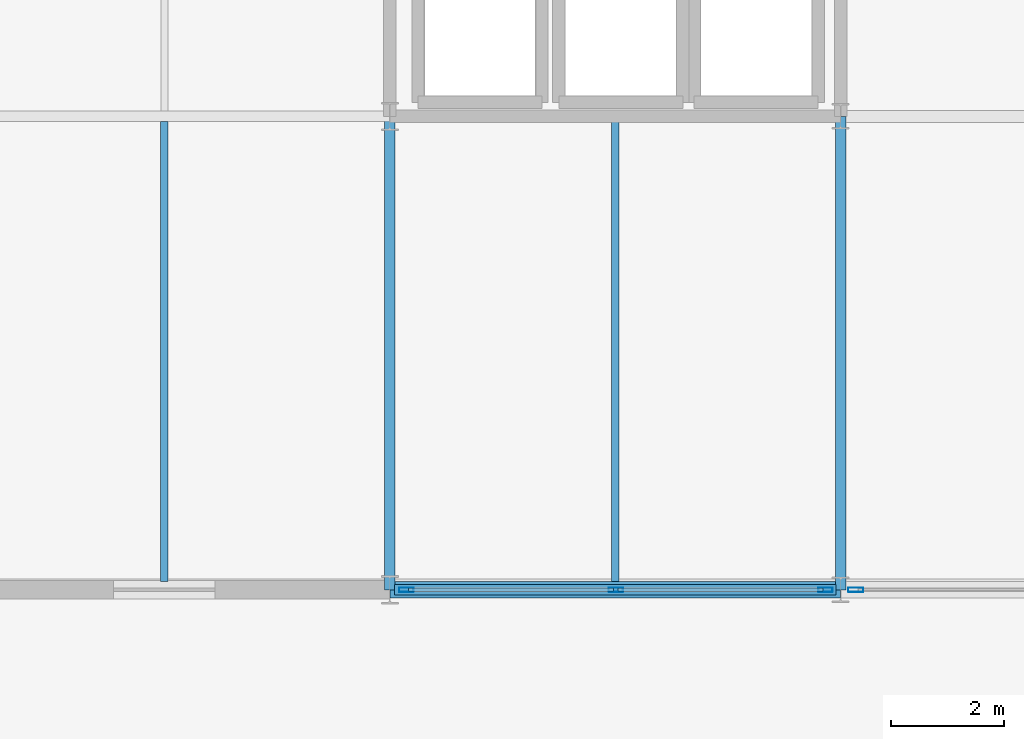
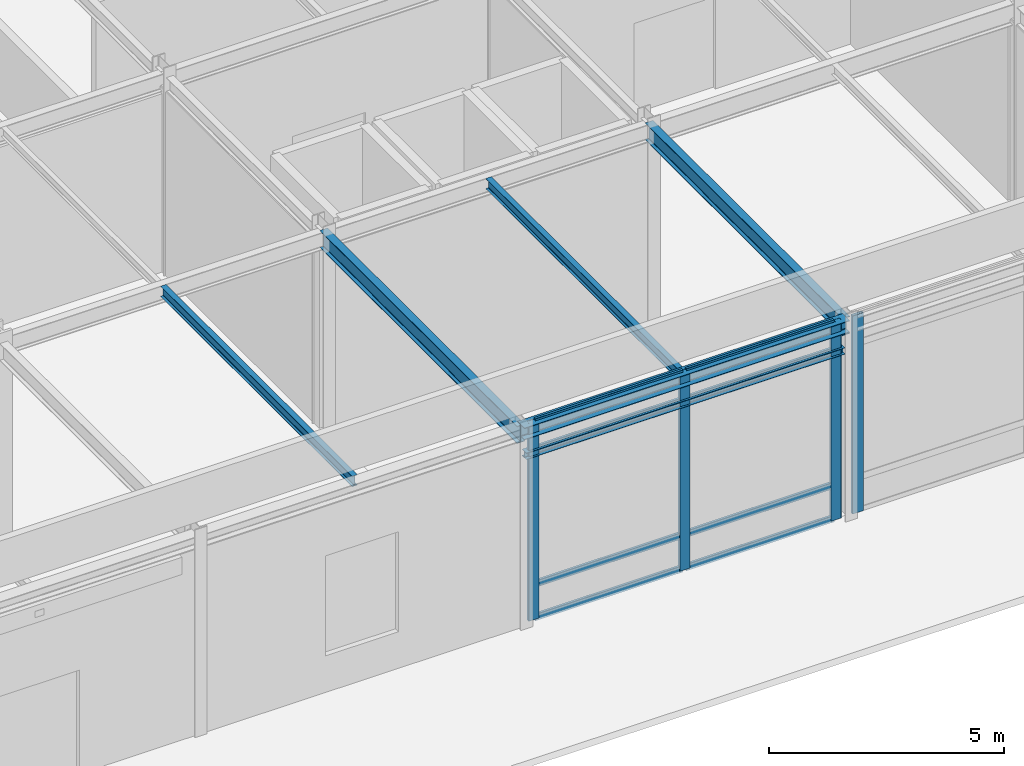
# One storey, part 26 of 89: 12 members, 6 beams, 2 elements without a shape of their own.
"""IFC4 building model written with IfcOpenShell, lengths in metres."""

from ifc_helpers import new_model, si_unit, direction, frame, origin, origin_2d, place, context, subcontext, project, spatial, hollow_rectangle, i_section, extrude, material, layer, layer_set, material_profile, profile_set, type_object, element, aggregate, save


model = new_model("IFC4")

# Units and contexts
model_context = context("Model", 3, precision=1e-05, world=origin(), true_north=direction((0.0, 1.0)))
body_context = subcontext(model_context, "Body", "Model", "MODEL_VIEW")
ifc_project = project(units=[si_unit("LENGTHUNIT", "METRE"), si_unit("AREAUNIT", "SQUARE_METRE"), si_unit("VOLUMEUNIT", "CUBIC_METRE"), si_unit("PLANEANGLEUNIT", "RADIAN"), si_unit("MASSUNIT", "GRAM", prefix="KILO")], contexts=[model_context])

# Site, building, storey
site_placement = place(None, origin())
site = spatial("IfcSite", under=ifc_project, at=site_placement, CompositionType="ELEMENT")
building_placement = place(site_placement, origin())
building = spatial("IfcBuilding", under=site, at=building_placement, Name="Shalkamar Park Central Library", CompositionType="ELEMENT")
storey_placement = place(building_placement, origin())
storey = spatial("IfcBuildingStorey", under=building, at=storey_placement, Name="L01", CompositionType="ELEMENT", Elevation=0.0)

# Beams
ifc_material_1 = material(Name="Steel S355", Category="steel")
ifc_material_profile_1 = material_profile(ifc_material_1, i_section(OverallWidth=0.135009765625, OverallDepth=0.27001953125, WebThickness=0.006591796875, FlangeThickness=0.01025390625, FilletRadius=0.014892578125, at=origin_2d()), Name="IPE 270")
ifc_profile_set_1 = profile_set([ifc_material_profile_1], Name="Steel S355")
beam_type_1 = type_object("IfcBeamType", Name="Composite Floor Joist IPE270", PredefinedType="JOIST", material=ifc_profile_set_1)
for number, where, z_axis, x_axis, name in (
    (1, (225.0, 240.14794921875, 5.0048828125), (0.0, 1.0, 0.0), (-1.0, 0.0, 0.0), "Composite Joist 14/A-1 (L01)"),
    (2, (233.0, 240.14794921875, 5.0048828125), (0.0, 1.0, 0.0), (-1.0, 0.0, 0.0), "Composite Joist 15/A-1 (L01)"),
):
    element("IfcBeam", number, at=place(storey_placement, frame(where, z_axis=z_axis, x_axis=x_axis)), inside=storey, type_object=beam_type_1, Name=name, PredefinedType="JOIST", context=body_context, shape_type="SweptSolid", body=[
        extrude(i_section(OverallWidth=0.135009765625, OverallDepth=0.27001953125, WebThickness=0.006591796875, FlangeThickness=0.01025390625, FilletRadius=0.014892578125, at=origin_2d()), origin(), (0.0, 0.0, 1.0), 8.158935546875),
    ])

# Curtain wall, members
ifc_material_2 = material(Name="Thermally broken aluminium and triple low-e curtain wall", Category="aluminium")
ifc_layer_1 = layer(ifc_material_2, 0.2548828125)
ifc_layer_set_1 = layer_set([ifc_layer_1], Name="UnitisedCurtainWall_01")
curtain_wall_type_1 = type_object("IfcCurtainWallType", Name="Unitised Curtain Wall 01", PredefinedType="USERDEFINED", material=ifc_layer_set_1)
curtain_wall_1_placement = place(storey_placement, origin())
curtain_wall_1 = element("IfcCurtainWall", 3, at=curtain_wall_1_placement, inside=storey, type_object=curtain_wall_type_1, Name="Unitised Curtain Wall CW-L01-001", ObjectType="UNITISED CURTAIN WALL", PredefinedType="USERDEFINED")
ifc_material_3 = material(Name="Aluminium 6060-T66", Category="aluminium")
ifc_material_profile_2 = material_profile(ifc_material_3, hollow_rectangle(XDim=0.080078125, YDim=0.2548828125, WallThickness=0.00439453125, InnerFilletRadius=0.00439453125, OuterFilletRadius=0.0068359375, at=origin_2d()), Name="ALU 80x255x4.5")
ifc_profile_set_2 = profile_set([ifc_material_profile_2], Name="Aluminium 6060-T66")
member_type_1 = type_object("IfcMemberType", Name="Curtain Wall Mullion ALU80x255", PredefinedType="MULLION", material=ifc_profile_set_2)
member_1_placement = place(storey_placement, frame((229.2939453125, 240.0, 0.0), z_axis=(0.0, 0.0, 1.0), x_axis=(0.0, 1.0, 0.0)))
member_1 = element("IfcMember", 4, at=member_1_placement, type_object=member_type_1, Name="CW-01 mullion 1", PredefinedType="MULLION", context=body_context, shape_type="SweptSolid", body=[
    extrude(hollow_rectangle(XDim=0.080078125, YDim=0.2548828125, WallThickness=0.00439453125, InnerFilletRadius=0.00439453125, OuterFilletRadius=0.0068359375, at=origin_2d()), origin(), (0.0, 0.0, 1.0), 5.14990234375),
])
member_2_placement = place(storey_placement, frame((233.012451171875, 240.0, 0.0), z_axis=(0.0, 0.0, 1.0), x_axis=(0.0, 1.0, 0.0)))
member_2 = element("IfcMember", 5, at=member_2_placement, type_object=member_type_1, Name="CW-01 mullion 2", PredefinedType="MULLION", context=body_context, shape_type="SweptSolid", body=[
    extrude(hollow_rectangle(XDim=0.080078125, YDim=0.2548828125, WallThickness=0.00439453125, InnerFilletRadius=0.00439453125, OuterFilletRadius=0.0068359375, at=origin_2d()), origin(), (0.0, 0.0, 1.0), 5.14990234375),
])
member_3_placement = place(storey_placement, frame((236.73095703125, 240.0, 0.0), z_axis=(0.0, 0.0, 1.0), x_axis=(0.0, 1.0, 0.0)))
member_3 = element("IfcMember", 6, at=member_3_placement, type_object=member_type_1, Name="CW-01 mullion 3", PredefinedType="MULLION", context=body_context, shape_type="SweptSolid", body=[
    extrude(hollow_rectangle(XDim=0.080078125, YDim=0.2548828125, WallThickness=0.00439453125, InnerFilletRadius=0.00439453125, OuterFilletRadius=0.0068359375, at=origin_2d()), origin(), (0.0, 0.0, 1.0), 5.14990234375),
])

# Curtain wall, member
ifc_layer_2 = layer(ifc_material_2, 0.27001953125)
ifc_layer_set_2 = layer_set([ifc_layer_2], Name="UnitisedCurtainWall_02")
curtain_wall_type_2 = type_object("IfcCurtainWallType", Name="Unitised Curtain Wall 02", PredefinedType="USERDEFINED", material=ifc_layer_set_2)
curtain_wall_2_placement = place(storey_placement, origin())
curtain_wall_2 = element("IfcCurtainWall", 7, at=curtain_wall_2_placement, inside=storey, type_object=curtain_wall_type_2, Name="Unitised Curtain Wall CW-L01-002", ObjectType="UNITISED CURTAIN WALL", PredefinedType="USERDEFINED")
ifc_material_profile_3 = material_profile(ifc_material_3, hollow_rectangle(XDim=0.080078125, YDim=0.27001953125, WallThickness=0.0048828125, InnerFilletRadius=0.0048828125, OuterFilletRadius=0.007568359375, at=origin_2d()), Name="ALU 80x270x5")
ifc_profile_set_3 = profile_set([ifc_material_profile_3], Name="Aluminium 6060-T66")
member_type_2 = type_object("IfcMemberType", Name="Curtain Wall Mullion ALU80x270", PredefinedType="MULLION", material=ifc_profile_set_3)
member_4_placement = place(storey_placement, frame((237.26904296875, 240.0, 0.0), z_axis=(0.0, 0.0, 1.0), x_axis=(0.0, 1.0, 0.0)))
member_4 = element("IfcMember", 8, at=member_4_placement, type_object=member_type_2, Name="CW-02 mullion 1", PredefinedType="MULLION", context=body_context, shape_type="SweptSolid", body=[
    extrude(hollow_rectangle(XDim=0.080078125, YDim=0.27001953125, WallThickness=0.0048828125, InnerFilletRadius=0.0048828125, OuterFilletRadius=0.007568359375, at=origin_2d()), origin(), (0.0, 0.0, 1.0), 5.14990234375),
])
aggregate(curtain_wall_2, [member_4])

# Member
ifc_material_profile_4 = material_profile(ifc_material_3, hollow_rectangle(XDim=0.06494140625, YDim=0.169921875, WallThickness=0.00390625, InnerFilletRadius=0.00390625, OuterFilletRadius=0.006103515625, at=origin_2d()), Name="ALU 65x170x4")
ifc_profile_set_4 = profile_set([ifc_material_profile_4], Name="Aluminium 6060-T66")
member_type_3 = type_object("IfcMemberType", Name="Curtain Wall Transom ALU65x170", PredefinedType="USERDEFINED", material=ifc_profile_set_4)
member_5_placement = place(storey_placement, frame((229.333984375, 240.0, 0.032470703125), z_axis=(1.0, 0.0, 0.0), x_axis=(0.0, 1.0, 0.0)))
member_5 = element("IfcMember", 9, at=member_5_placement, type_object=member_type_3, Name="CW-01 transom 1.1", ObjectType="TRANSOM", PredefinedType="USERDEFINED", context=body_context, shape_type="SweptSolid", body=[
    extrude(hollow_rectangle(XDim=0.06494140625, YDim=0.169921875, WallThickness=0.00390625, InnerFilletRadius=0.00390625, OuterFilletRadius=0.006103515625, at=origin_2d()), origin(), (0.0, 0.0, 1.0), 3.638427734375),
])

member_6_placement = place(storey_placement, frame((229.333984375, 240.0, 0.89990234375), z_axis=(1.0, 0.0, 0.0), x_axis=(0.0, 1.0, 0.0)))
member_6 = element("IfcMember", 10, at=member_6_placement, type_object=member_type_3, Name="CW-01 transom 1.2", ObjectType="TRANSOM", PredefinedType="USERDEFINED", context=body_context, shape_type="SweptSolid", body=[
    extrude(hollow_rectangle(XDim=0.06494140625, YDim=0.169921875, WallThickness=0.00390625, InnerFilletRadius=0.00390625, OuterFilletRadius=0.006103515625, at=origin_2d()), origin(), (0.0, 0.0, 1.0), 3.638427734375),
])

member_7_placement = place(storey_placement, frame((229.333984375, 240.0, 4.39990234375), z_axis=(1.0, 0.0, 0.0), x_axis=(0.0, 1.0, 0.0)))
member_7 = element("IfcMember", 11, at=member_7_placement, type_object=member_type_3, Name="CW-01 transom 1.3", ObjectType="TRANSOM", PredefinedType="USERDEFINED", context=body_context, shape_type="SweptSolid", body=[
    extrude(hollow_rectangle(XDim=0.06494140625, YDim=0.169921875, WallThickness=0.00390625, InnerFilletRadius=0.00390625, OuterFilletRadius=0.006103515625, at=origin_2d()), origin(), (0.0, 0.0, 1.0), 3.638427734375),
])

member_8_placement = place(storey_placement, frame((229.333984375, 240.0, 5.117431640625), z_axis=(1.0, 0.0, 0.0), x_axis=(0.0, 1.0, 0.0)))
member_8 = element("IfcMember", 12, at=member_8_placement, type_object=member_type_3, Name="CW-01 transom 1.4", ObjectType="TRANSOM", PredefinedType="USERDEFINED", context=body_context, shape_type="SweptSolid", body=[
    extrude(hollow_rectangle(XDim=0.06494140625, YDim=0.169921875, WallThickness=0.00390625, InnerFilletRadius=0.00390625, OuterFilletRadius=0.006103515625, at=origin_2d()), origin(), (0.0, 0.0, 1.0), 3.638427734375),
])

member_9_placement = place(storey_placement, frame((233.052490234375, 240.0, 0.032470703125), z_axis=(1.0, 0.0, 0.0), x_axis=(0.0, 1.0, 0.0)))
member_9 = element("IfcMember", 13, at=member_9_placement, type_object=member_type_3, Name="CW-01 transom 2.1", ObjectType="TRANSOM", PredefinedType="USERDEFINED", context=body_context, shape_type="SweptSolid", body=[
    extrude(hollow_rectangle(XDim=0.06494140625, YDim=0.169921875, WallThickness=0.00390625, InnerFilletRadius=0.00390625, OuterFilletRadius=0.006103515625, at=origin_2d()), origin(), (0.0, 0.0, 1.0), 3.638427734375),
])

member_10_placement = place(storey_placement, frame((233.052490234375, 240.0, 0.89990234375), z_axis=(1.0, 0.0, 0.0), x_axis=(0.0, 1.0, 0.0)))
member_10 = element("IfcMember", 14, at=member_10_placement, type_object=member_type_3, Name="CW-01 transom 2.2", ObjectType="TRANSOM", PredefinedType="USERDEFINED", context=body_context, shape_type="SweptSolid", body=[
    extrude(hollow_rectangle(XDim=0.06494140625, YDim=0.169921875, WallThickness=0.00390625, InnerFilletRadius=0.00390625, OuterFilletRadius=0.006103515625, at=origin_2d()), origin(), (0.0, 0.0, 1.0), 3.638427734375),
])

member_11_placement = place(storey_placement, frame((233.052490234375, 240.0, 4.39990234375), z_axis=(1.0, 0.0, 0.0), x_axis=(0.0, 1.0, 0.0)))
member_11 = element("IfcMember", 15, at=member_11_placement, type_object=member_type_3, Name="CW-01 transom 2.3", ObjectType="TRANSOM", PredefinedType="USERDEFINED", context=body_context, shape_type="SweptSolid", body=[
    extrude(hollow_rectangle(XDim=0.06494140625, YDim=0.169921875, WallThickness=0.00390625, InnerFilletRadius=0.00390625, OuterFilletRadius=0.006103515625, at=origin_2d()), origin(), (0.0, 0.0, 1.0), 3.638427734375),
])

member_12_placement = place(storey_placement, frame((233.052490234375, 240.0, 5.117431640625), z_axis=(1.0, 0.0, 0.0), x_axis=(0.0, 1.0, 0.0)))
member_12 = element("IfcMember", 16, at=member_12_placement, type_object=member_type_3, Name="CW-01 transom 2.4", ObjectType="TRANSOM", PredefinedType="USERDEFINED", context=body_context, shape_type="SweptSolid", body=[
    extrude(hollow_rectangle(XDim=0.06494140625, YDim=0.169921875, WallThickness=0.00390625, InnerFilletRadius=0.00390625, OuterFilletRadius=0.006103515625, at=origin_2d()), origin(), (0.0, 0.0, 1.0), 3.638427734375),
])

aggregate(curtain_wall_1, [member_1, member_2, member_3, member_5, member_6, member_7, member_8, member_9, member_10, member_11, member_12])

# Beams
ifc_material_profile_5 = material_profile(ifc_material_1, i_section(OverallWidth=0.179931640625, OverallDepth=0.1708984375, WebThickness=0.006103515625, FlangeThickness=0.009521484375, FilletRadius=0.014892578125, at=origin_2d()), Name="HEA 180")
ifc_profile_set_5 = profile_set([ifc_material_profile_5], Name="Steel S355")
beam_type_2 = type_object("IfcBeamType", Name="Opening Lintel Beam HEA180", PredefinedType="LINTEL", material=ifc_profile_set_5)
beam_1_placement = place(storey_placement, frame((229.080078125, 240.0, 4.35009765625), z_axis=(1.0, 0.0, 0.0), x_axis=(0.0, 1.0, 0.0)))
element("IfcBeam", 17, at=beam_1_placement, inside=storey, type_object=beam_type_2, Name="Opening Lintel L01-06", PredefinedType="LINTEL", context=body_context, shape_type="SweptSolid", body=[
    extrude(i_section(OverallWidth=0.179931640625, OverallDepth=0.1708984375, WebThickness=0.006103515625, FlangeThickness=0.009521484375, FilletRadius=0.014892578125, at=origin_2d()), origin(), (0.0, 0.0, 1.0), 7.83984375),
])
ifc_material_profile_6 = material_profile(ifc_material_1, i_section(OverallWidth=0.300048828125, OverallDepth=0.31005859375, WebThickness=0.009033203125, FlangeThickness=0.015380859375, FilletRadius=0.027099609375, at=origin_2d()), Name="HEA 320")
ifc_profile_set_6 = profile_set([ifc_material_profile_6], Name="Steel S355")
beam_type_3 = type_object("IfcBeamType", Name="Perimeter Spandrel Beam HEA320", PredefinedType="SPANDREL", material=ifc_profile_set_6)
beam_2_placement = place(storey_placement, frame((229.0, 240.0, 4.9951171875), z_axis=(1.0, 0.0, 0.0), x_axis=(0.0, 1.0, 0.0)))
element("IfcBeam", 18, at=beam_2_placement, inside=storey, type_object=beam_type_3, Name="Beam A:15-16 (L01)", PredefinedType="SPANDREL", context=body_context, shape_type="SweptSolid", body=[
    extrude(i_section(OverallWidth=0.300048828125, OverallDepth=0.31005859375, WebThickness=0.009033203125, FlangeThickness=0.015380859375, FilletRadius=0.027099609375, at=origin_2d()), origin(), (0.0, 0.0, 1.0), 8.0),
])
ifc_material_profile_7 = material_profile(ifc_material_1, i_section(OverallWidth=0.18994140625, OverallDepth=0.449951171875, WebThickness=0.009521484375, FlangeThickness=0.0146484375, FilletRadius=0.02099609375, at=origin_2d()), Name="IPE 450")
ifc_profile_set_7 = profile_set([ifc_material_profile_7], Name="Steel S355")
beam_type_4 = type_object("IfcBeamType", Name="Primary Girder IPE450", PredefinedType="BEAM", material=ifc_profile_set_7)
for number, where, z_axis, x_axis, name in (
    (19, (229.0, 240.0, 4.9150390625), (0.0, 1.0, 0.0), (-1.0, 0.0, 0.0), "Beam 15:A-B (L01)"),
    (20, (237.0, 240.0, 4.9150390625), (0.0, 1.0, 0.0), (-1.0, 0.0, 0.0), "Beam 16:A-B (L01)"),
):
    element("IfcBeam", number, at=place(storey_placement, frame(where, z_axis=z_axis, x_axis=x_axis)), inside=storey, type_object=beam_type_4, Name=name, PredefinedType="BEAM", context=body_context, shape_type="SweptSolid", body=[
        extrude(i_section(OverallWidth=0.18994140625, OverallDepth=0.449951171875, WebThickness=0.009521484375, FlangeThickness=0.0146484375, FilletRadius=0.02099609375, at=origin_2d()), origin(), (0.0, 0.0, 1.0), 8.39990234375),
    ])

save(model, "model.ifc")
